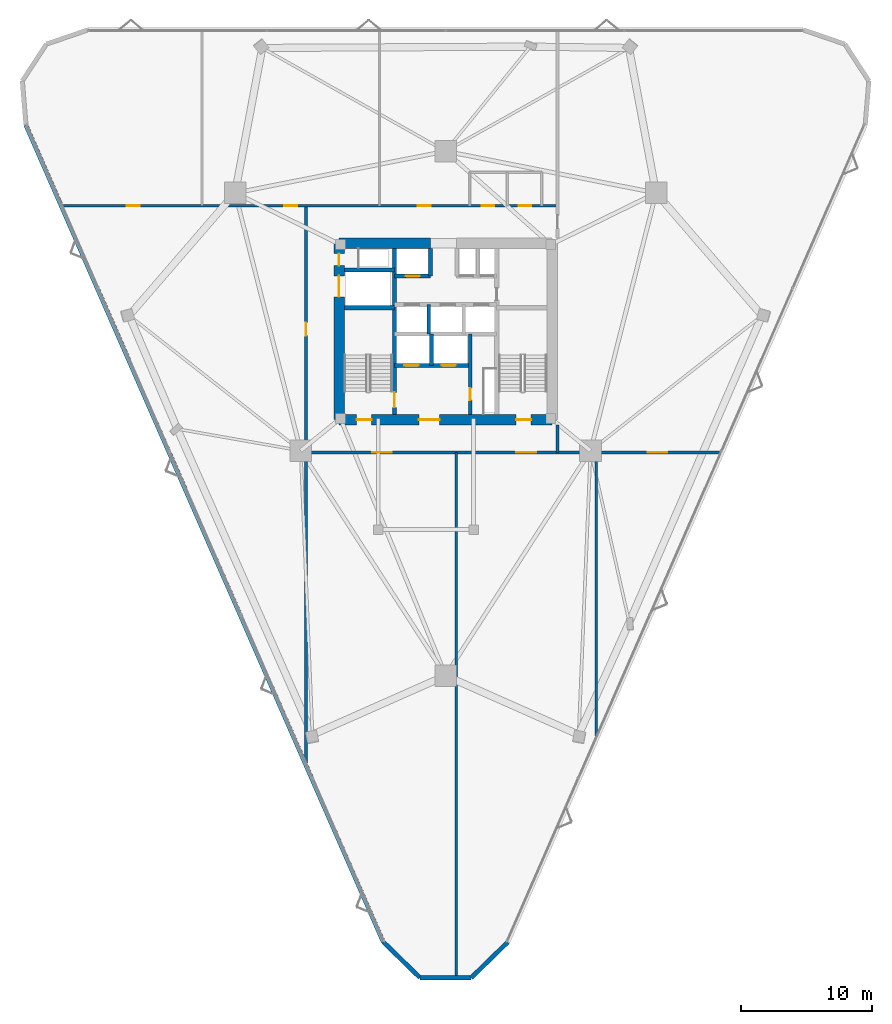
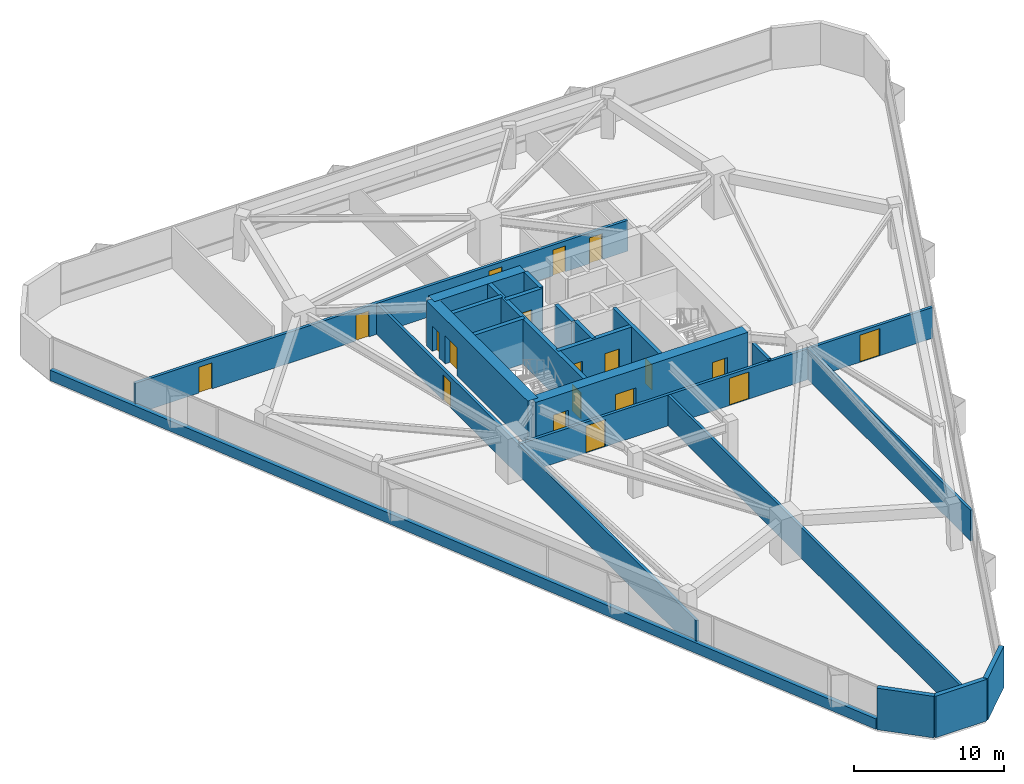
# One storey, part 17 of 20: 22 walls, 19 doors, 19 openings.
"""IFC4 building model written with IfcOpenShell, lengths in metres."""

from ifc_helpers import new_model, si_unit, direction, frame, frame_2d, origin, place, context, subcontext, project, spatial, rectangle, extrude, material, layer, layer_set, type_object, element, fill, save


model = new_model("IFC4")

# Units and contexts
model_context = context("Model", 3, precision=1e-05, world=origin(), true_north=direction((0.0, 1.0)))
body_context = subcontext(model_context, "Body", "Model", "MODEL_VIEW")
ifc_project = project(units=[si_unit("LENGTHUNIT", "METRE"), si_unit("AREAUNIT", "SQUARE_METRE"), si_unit("VOLUMEUNIT", "CUBIC_METRE"), si_unit("PLANEANGLEUNIT", "RADIAN"), si_unit("MASSUNIT", "GRAM", prefix="KILO")], contexts=[model_context])

# Site, building, storey
site_placement = place(None, origin())
site = spatial("IfcSite", under=ifc_project, at=site_placement, CompositionType="ELEMENT")
building_placement = place(site_placement, origin())
building = spatial("IfcBuilding", under=site, at=building_placement, Name="Talyreon Biosciences Tower", CompositionType="ELEMENT")
storey_placement = place(building_placement, frame((0.0, 0.0, 75.0)))
storey = spatial("IfcBuildingStorey", under=building, at=storey_placement, Name="L19", CompositionType="ELEMENT", Elevation=75.0)

# Walls
ifc_material_1 = material(Name="Gypsum fireboard acoustic stud", Category="gypsum")
ifc_layer_1 = layer(ifc_material_1, 0.199951171875)
ifc_layer_set_1 = layer_set([ifc_layer_1], Name="Gypsum fireboard acoustic stud")
wall_type_1 = type_object("IfcWallType", Name="ChemControlPartition_200", PredefinedType="PARTITIONING", material=ifc_layer_set_1)
wall_1_placement = place(storey_placement, frame((66.800048828125, 18.642822265625, 0.0), z_axis=(0.0, 0.0, 1.0), x_axis=(0.0, 1.0, 0.0)))
element("IfcWall", 1, at=wall_1_placement, inside=storey, type_object=wall_type_1, Name="L19 Interior Wall IW-L19-SDIV1", PredefinedType="PARTITIONING", context=body_context, shape_type="SweptSolid", body=[
    extrude(rectangle(XDim=40.087158203125, YDim=0.199951171875, at=frame_2d((20.04345703125, 0.0))), origin(), (0.0, 0.0, 1.0), 2.5048828125),
])
wall_2_placement = place(storey_placement, frame((77.5380859375, 36.985595703125, 0.0), z_axis=(0.0, 0.0, 1.0), x_axis=(0.0, 1.0, 0.0)))
element("IfcWall", 2, at=wall_2_placement, inside=storey, type_object=wall_type_1, Name="L19 Interior Wall IW-L19-SDIV2", PredefinedType="PARTITIONING", context=body_context, shape_type="SweptSolid", body=[
    extrude(rectangle(XDim=21.744384765625, YDim=0.199951171875, at=frame_2d((10.8720703125, 0.0))), origin(), (0.0, 0.0, 1.0), 2.5048828125),
])
ifc_material_2 = material(Name="Concrete C50/60", Category="concrete")
ifc_layer_2 = layer(ifc_material_2, 0.280029296875)
ifc_layer_set_2 = layer_set([ifc_layer_2], Name="Concrete C50/60")
wall_type_2 = type_object("IfcWallType", Name="CoreShearWall_280", PredefinedType="SHEAR", material=ifc_layer_set_2)
wall_3_placement = place(storey_placement, frame((64.919921875, 65.39990234375, 0.0), z_axis=(0.0, 0.0, 1.0), x_axis=(0.0, 1.0, 0.0)))
element("IfcWall", 3, at=wall_3_placement, inside=storey, type_object=wall_type_2, Name="L19 Core Shaft Wall SWSHD1", PredefinedType="SHEAR", context=body_context, shape_type="SweptSolid", body=[
    extrude(rectangle(XDim=2.400146484375, YDim=0.280029296875, at=frame_2d((1.2001953125, 0.0))), origin(), (0.0, 0.0, 1.0), 3.64990234375),
])
wall_4_placement = place(storey_placement, frame((64.85009765625, 72.25, 0.0), z_axis=(0.0, 0.0, 1.0), x_axis=(0.0, 1.0, 0.0)))
element("IfcWall", 4, at=wall_4_placement, inside=storey, type_object=wall_type_2, Name="L19 Core Shaft Wall SWTHW", PredefinedType="SHEAR", context=body_context, shape_type="SweptSolid", body=[
    extrude(rectangle(XDim=2.10009765625, YDim=0.280029296875, at=frame_2d((1.050048828125, 0.0))), origin(), (0.0, 0.0, 1.0), 3.64990234375),
])

# Wall, opening, door
wall_5_placement = place(storey_placement, frame((67.8798828125, 61.64990234375, 0.0), z_axis=(0.0, 0.0, 1.0), x_axis=(0.0, 1.0, 0.0)))
wall_5 = element("IfcWall", 5, at=wall_5_placement, inside=storey, type_object=wall_type_2, Name="L19 Core Shaft Wall SWFFE", PredefinedType="SHEAR", context=body_context, shape_type="SweptSolid", body=[
    extrude(rectangle(XDim=6.150146484375, YDim=0.280029296875, at=frame_2d((3.0751953125, 0.0))), origin(), (0.0, 0.0, 1.0), 3.64990234375),
])
opening_1_placement = place(wall_5_placement, frame((1.10009765625, 0.0, 0.0)))
opening_1 = element("IfcOpeningElement", 6, at=opening_1_placement, cuts=wall_5, Name="Opening DR-L19-RSE", PredefinedType="OPENING", context=body_context, shape_type="SweptSolid", body=[
    extrude(rectangle(XDim=0.919921875, YDim=2.050048828125, at=frame_2d((0.4599609375, 1.02490234375))), frame((0.0, 0.14990234375, 0.0), z_axis=(0.0, -1.0, 0.0), x_axis=(1.0, 0.0, 0.0)), (0.0, 0.0, 1.0), 0.300048828125),
])
ifc_material_3 = material(Name="Painted steel fire-rated riser door", Category="steel")
door_type_1 = type_object("IfcDoorType", Name="RiserPlantAccessDoor_920x2050", OperationType="NOTDEFINED", PredefinedType="DOOR", material=ifc_material_3)
door_1_placement = place(opening_1_placement, origin())
door_1 = element("IfcDoor", 7, at=door_1_placement, inside=storey, type_object=door_type_1, Name="L19 Core Door DR-L19-RSE", OperationType="SINGLE_SWING_RIGHT", OverallHeight=2.050048828125, OverallWidth=0.919921875, PredefinedType="DOOR", context=body_context, shape_type="SweptSolid", body=[
    extrude(rectangle(XDim=0.919921875, YDim=2.050048828125, at=frame_2d((0.4599609375, 1.02490234375))), frame((0.0, 0.02490234375, 0.0), z_axis=(0.0, -1.0, 0.0), x_axis=(1.0, 0.0, 0.0)), (0.0, 0.0, 1.0), 0.050048828125),
])
fill(opening_1, door_1)

# Wall
wall_6_placement = place(storey_placement, frame((64.719970703125, 67.800048828125, 0.0), z_axis=(0.0, 0.0, 1.0), x_axis=(0.0, 1.0, 0.0)))
element("IfcWall", 8, at=wall_6_placement, inside=storey, type_object=wall_type_2, Name="L19 Core Shaft Wall SWPLD", PredefinedType="SHEAR", context=body_context, shape_type="SweptSolid", body=[
    extrude(rectangle(XDim=2.25, YDim=0.280029296875, at=frame_2d((1.125, 0.0))), origin(), (0.0, 0.0, 1.0), 3.64990234375),
])

# Wall, opening, door
ifc_layer_3 = layer(ifc_material_2, 0.320068359375)
ifc_layer_set_3 = layer_set([ifc_layer_3], Name="Concrete C50/60")
wall_type_3 = type_object("IfcWallType", Name="CoreShearWall_320", PredefinedType="SHEAR", material=ifc_layer_set_3)
wall_7_placement = place(storey_placement, frame((62.090087890625, 61.64990234375, 0.0), z_axis=(0.0, 0.0, 1.0), x_axis=(0.0, 1.0, 0.0)))
wall_7 = element("IfcWall", 9, at=wall_7_placement, inside=storey, type_object=wall_type_3, Name="L19 Core Shaft Wall SW1E", PredefinedType="SHEAR", context=body_context, shape_type="SweptSolid", body=[
    extrude(rectangle(XDim=12.7001953125, YDim=0.320068359375, at=frame_2d((6.35009765625, 0.0))), origin(), (0.0, 0.0, 1.0), 3.64990234375),
])
opening_2_placement = place(wall_7_placement, frame((0.550048828125, 0.0, 0.0)))
opening_2 = element("IfcOpeningElement", 10, at=opening_2_placement, cuts=wall_7, Name="Opening DR-L19-FF-ST1", PredefinedType="OPENING", context=body_context, shape_type="SweptSolid", body=[
    extrude(rectangle(XDim=1.14990234375, YDim=2.14990234375, at=frame_2d((0.574951171875, 1.074951171875))), frame((0.0, 0.169921875, 0.0), z_axis=(0.0, -1.0, 0.0), x_axis=(1.0, 0.0, 0.0)), (0.0, 0.0, 1.0), 0.340087890625),
])
ifc_material_4 = material(Name="Painted steel fire door", Category="steel")
door_type_2 = type_object("IfcDoorType", Name="StairShaftFireDoor_1150x2150", OperationType="NOTDEFINED", PredefinedType="DOOR", material=ifc_material_4)
door_2_placement = place(opening_2_placement, origin())
door_2 = element("IfcDoor", 11, at=door_2_placement, inside=storey, type_object=door_type_2, Name="L19 Core Door DR-L19-FF-ST1", OperationType="SINGLE_SWING_LEFT", OverallHeight=2.14990234375, OverallWidth=1.14990234375, PredefinedType="DOOR", context=body_context, shape_type="SweptSolid", body=[
    extrude(rectangle(XDim=1.14990234375, YDim=2.14990234375, at=frame_2d((0.574951171875, 1.074951171875))), frame((0.0, 0.02490234375, 0.0), z_axis=(0.0, -1.0, 0.0), x_axis=(1.0, 0.0, 0.0)), (0.0, 0.0, 1.0), 0.050048828125),
])
fill(opening_2, door_2)

# Walls
for number, where, z_axis, x_axis, name in (
    (12, (58.25, 69.81005859375, 0.0), (0.0, 0.0, 1.0), (1.0, 0.0, 0.0), "L19 Core Shaft Wall SW1N"),
    (13, (58.25, 72.699951171875, 0.0), (0.0, 0.0, 1.0), (1.0, 0.0, 0.0), "L19 Core Shaft Wall SWGLN"),
):
    element("IfcWall", number, at=place(storey_placement, frame(where, z_axis=z_axis, x_axis=x_axis)), inside=storey, type_object=wall_type_3, Name=name, PredefinedType="SHEAR", context=body_context, shape_type="SweptSolid", body=[
        extrude(rectangle(XDim=3.840087890625, YDim=0.320068359375, at=frame_2d((1.919921875, 0.0))), origin(), (0.0, 0.0, 1.0), 3.64990234375),
    ])

# Wall, opening, door
wall_8_placement = place(storey_placement, frame((62.090087890625, 72.25, 0.0), z_axis=(0.0, 0.0, 1.0), x_axis=(1.0, 0.0, 0.0)))
wall_8 = element("IfcWall", 14, at=wall_8_placement, inside=storey, type_object=wall_type_3, Name="L19 Core Shaft Wall SWNPW", PredefinedType="SHEAR", context=body_context, shape_type="SweptSolid", body=[
    extrude(rectangle(XDim=2.760009765625, YDim=0.320068359375, at=frame_2d((1.3798828125, 0.0))), origin(), (0.0, 0.0, 1.0), 3.64990234375),
])
opening_3_placement = place(wall_8_placement, frame((0.85009765625, 0.0, 0.0)))
opening_3 = element("IfcOpeningElement", 15, at=opening_3_placement, cuts=wall_8, Name="Opening LD-L19-PM2", PredefinedType="OPENING", context=body_context, shape_type="SweptSolid", body=[
    extrude(rectangle(XDim=1.10009765625, YDim=2.199951171875, at=frame_2d((0.550048828125, 1.10009765625))), frame((0.0, 0.169921875, 0.0), z_axis=(0.0, -1.0, 0.0), x_axis=(1.0, 0.0, 0.0)), (0.0, 0.0, 1.0), 0.340087890625),
])
ifc_material_5 = material(Name="Brushed stainless-steel lift landing door", Category="steel")
door_type_3 = type_object("IfcDoorType", Name="LiftSlidingLandingDoor_1100x2200", OperationType="SLIDING_TO_LEFT", PredefinedType="DOOR", material=ifc_material_5)
door_3_placement = place(opening_3_placement, origin())
door_3 = element("IfcDoor", 16, at=door_3_placement, inside=storey, type_object=door_type_3, Name="L19 Core Door LD-L19-PM2", OperationType="SLIDING_TO_LEFT", OverallHeight=2.199951171875, OverallWidth=1.10009765625, PredefinedType="DOOR", context=body_context, shape_type="SweptSolid", body=[
    extrude(rectangle(XDim=1.10009765625, YDim=2.199951171875, at=frame_2d((0.550048828125, 1.10009765625))), frame((0.0, 0.02490234375, 0.0), z_axis=(0.0, -1.0, 0.0), x_axis=(1.0, 0.0, 0.0)), (0.0, 0.0, 1.0), 0.050048828125),
])
fill(opening_3, door_3)

# Wall, openings, doors
wall_9_placement = place(storey_placement, frame((62.090087890625, 65.39990234375, 0.0), z_axis=(0.0, 0.0, 1.0), x_axis=(1.0, 0.0, 0.0)))
wall_9 = element("IfcWall", 17, at=wall_9_placement, inside=storey, type_object=wall_type_3, Name="L19 Core Shaft Wall SWFFN", PredefinedType="SHEAR", context=body_context, shape_type="SweptSolid", body=[
    extrude(rectangle(XDim=5.789794921875, YDim=0.320068359375, at=frame_2d((2.89501953125, 0.0))), origin(), (0.0, 0.0, 1.0), 3.64990234375),
])
opening_4_placement = place(wall_9_placement, frame((0.75, 0.0, 0.0)))
opening_4 = element("IfcOpeningElement", 18, at=opening_4_placement, cuts=wall_9, Name="Opening LD-L19-FL1", PredefinedType="OPENING", context=body_context, shape_type="SweptSolid", body=[
    extrude(rectangle(XDim=1.10009765625, YDim=2.199951171875, at=frame_2d((0.550048828125, 1.10009765625))), frame((0.0, 0.169921875, 0.0), z_axis=(0.0, -1.0, 0.0), x_axis=(1.0, 0.0, 0.0)), (0.0, 0.0, 1.0), 0.340087890625),
])
opening_5_placement = place(wall_9_placement, frame((3.60009765625, 0.0, 0.0)))
opening_5 = element("IfcOpeningElement", 19, at=opening_5_placement, cuts=wall_9, Name="Opening LD-L19-FL2", PredefinedType="OPENING", context=body_context, shape_type="SweptSolid", body=[
    extrude(rectangle(XDim=1.10009765625, YDim=2.199951171875, at=frame_2d((0.550048828125, 1.10009765625))), frame((0.0, 0.169921875, 0.0), z_axis=(0.0, -1.0, 0.0), x_axis=(1.0, 0.0, 0.0)), (0.0, 0.0, 1.0), 0.340087890625),
])
door_4_placement = place(opening_4_placement, origin())
door_4 = element("IfcDoor", 20, at=door_4_placement, inside=storey, type_object=door_type_3, Name="L19 Core Door LD-L19-FL1", OperationType="SLIDING_TO_LEFT", OverallHeight=2.199951171875, OverallWidth=1.10009765625, PredefinedType="DOOR", context=body_context, shape_type="SweptSolid", body=[
    extrude(rectangle(XDim=1.10009765625, YDim=2.199951171875, at=frame_2d((0.550048828125, 1.10009765625))), frame((0.0, 0.02490234375, 0.0), z_axis=(0.0, -1.0, 0.0), x_axis=(1.0, 0.0, 0.0)), (0.0, 0.0, 1.0), 0.050048828125),
])
fill(opening_4, door_4)
door_5_placement = place(opening_5_placement, origin())
door_5 = element("IfcDoor", 21, at=door_5_placement, inside=storey, type_object=door_type_3, Name="L19 Core Door LD-L19-FL2", OperationType="SLIDING_TO_LEFT", OverallHeight=2.199951171875, OverallWidth=1.10009765625, PredefinedType="DOOR", context=body_context, shape_type="SweptSolid", body=[
    extrude(rectangle(XDim=1.10009765625, YDim=2.199951171875, at=frame_2d((0.550048828125, 1.10009765625))), frame((0.0, 0.02490234375, 0.0), z_axis=(0.0, -1.0, 0.0), x_axis=(1.0, 0.0, 0.0)), (0.0, 0.0, 1.0), 0.050048828125),
])
fill(opening_5, door_5)

ifc_material_6 = material(Name="Concrete C60/75", Category="concrete")
ifc_layer_4 = layer(ifc_material_6, 0.800048828125)
ifc_layer_set_4 = layer_set([ifc_layer_4], Name="Concrete C60/75")
wall_type_4 = type_object("IfcWallType", Name="CoreShearWall_800", PredefinedType="SHEAR", material=ifc_layer_set_4)
wall_10_placement = place(storey_placement, frame((57.85009765625, 61.25, 0.0), z_axis=(0.0, 0.0, 1.0), x_axis=(1.0, 0.0, 0.0)))
wall_10 = element("IfcWall", 22, at=wall_10_placement, inside=storey, type_object=wall_type_4, Name="L19 Core Shear Wall S", PredefinedType="SHEAR", context=body_context, shape_type="SweptSolid", body=[
    extrude(rectangle(XDim=16.2998046875, YDim=0.800048828125, at=frame_2d((8.14990234375, 0.0))), origin(), (0.0, 0.0, 1.0), 3.64990234375),
])
opening_6_placement = place(wall_10_placement, frame((1.35009765625, 0.0, 0.0)))
opening_6 = element("IfcOpeningElement", 23, at=opening_6_placement, cuts=wall_10, Name="Opening DR-L19-ST1", PredefinedType="OPENING", context=body_context, shape_type="SweptSolid", body=[
    extrude(rectangle(XDim=1.14990234375, YDim=2.14990234375, at=frame_2d((0.574951171875, 1.074951171875))), frame((0.0, 0.409912109375, 0.0), z_axis=(0.0, -1.0, 0.0), x_axis=(1.0, 0.0, 0.0)), (0.0, 0.0, 1.0), 0.820068359375),
])
opening_7_placement = place(wall_10_placement, frame((6.10009765625, 0.0, 0.0)))
opening_7 = element("IfcOpeningElement", 24, at=opening_7_placement, cuts=wall_10, Name="Opening DR-L19-FFL", PredefinedType="OPENING", context=body_context, shape_type="SweptSolid", body=[
    extrude(rectangle(XDim=1.60009765625, YDim=2.14990234375, at=frame_2d((0.800048828125, 1.074951171875))), frame((0.0, 0.409912109375, 0.0), z_axis=(0.0, -1.0, 0.0), x_axis=(1.0, 0.0, 0.0)), (0.0, 0.0, 1.0), 0.820068359375),
])
opening_8_placement = place(wall_10_placement, frame((13.550048828125, 0.0, 0.0)))
opening_8 = element("IfcOpeningElement", 25, at=opening_8_placement, cuts=wall_10, Name="Opening DR-L19-ST2", PredefinedType="OPENING", context=body_context, shape_type="SweptSolid", body=[
    extrude(rectangle(XDim=1.14990234375, YDim=2.14990234375, at=frame_2d((0.574951171875, 1.074951171875))), frame((0.0, 0.409912109375, 0.0), z_axis=(0.0, -1.0, 0.0), x_axis=(1.0, 0.0, 0.0)), (0.0, 0.0, 1.0), 0.820068359375),
])
ifc_material_7 = material(Name="Painted steel smoke-seal fire door", Category="steel")
door_type_4 = type_object("IfcDoorType", Name="FirefightingLobbyDoubleDoor_1600x2150", OperationType="DOUBLE_DOOR_SINGLE_SWING", PredefinedType="DOOR", material=ifc_material_7)
door_6_placement = place(opening_7_placement, origin())
door_6 = element("IfcDoor", 26, at=door_6_placement, inside=storey, type_object=door_type_4, Name="L19 Core Door DR-L19-FFL", OperationType="DOUBLE_DOOR_SINGLE_SWING", OverallHeight=2.14990234375, OverallWidth=1.60009765625, PredefinedType="DOOR", context=body_context, shape_type="SweptSolid", body=[
    extrude(rectangle(XDim=1.60009765625, YDim=2.14990234375, at=frame_2d((0.800048828125, 1.074951171875))), frame((0.0, 0.02490234375, 0.0), z_axis=(0.0, -1.0, 0.0), x_axis=(1.0, 0.0, 0.0)), (0.0, 0.0, 1.0), 0.050048828125),
])
fill(opening_7, door_6)
door_7_placement = place(opening_6_placement, origin())
door_7 = element("IfcDoor", 27, at=door_7_placement, inside=storey, type_object=door_type_2, Name="L19 Core Door DR-L19-ST1", OperationType="SINGLE_SWING_LEFT", OverallHeight=2.14990234375, OverallWidth=1.14990234375, PredefinedType="DOOR", context=body_context, shape_type="SweptSolid", body=[
    extrude(rectangle(XDim=1.14990234375, YDim=2.14990234375, at=frame_2d((0.574951171875, 1.074951171875))), frame((0.0, 0.02490234375, 0.0), z_axis=(0.0, -1.0, 0.0), x_axis=(1.0, 0.0, 0.0)), (0.0, 0.0, 1.0), 0.050048828125),
])
fill(opening_6, door_7)
door_8_placement = place(opening_8_placement, origin())
door_8 = element("IfcDoor", 28, at=door_8_placement, inside=storey, type_object=door_type_2, Name="L19 Core Door DR-L19-ST2", OperationType="SINGLE_SWING_RIGHT", OverallHeight=2.14990234375, OverallWidth=1.14990234375, PredefinedType="DOOR", context=body_context, shape_type="SweptSolid", body=[
    extrude(rectangle(XDim=1.14990234375, YDim=2.14990234375, at=frame_2d((0.574951171875, 1.074951171875))), frame((0.0, 0.02490234375, 0.0), z_axis=(0.0, -1.0, 0.0), x_axis=(1.0, 0.0, 0.0)), (0.0, 0.0, 1.0), 0.050048828125),
])
fill(opening_8, door_8)

# Wall
wall_11_placement = place(storey_placement, frame((64.85009765625, 74.75, 0.0), z_axis=(0.0, 0.0, 1.0), x_axis=(-1.0, 0.0, 0.0)))
element("IfcWall", 29, at=wall_11_placement, inside=storey, type_object=wall_type_4, Name="L19 Core Shear Wall NW", PredefinedType="SHEAR", context=body_context, shape_type="SweptSolid", body=[
    extrude(rectangle(XDim=7.0, YDim=0.800048828125, at=frame_2d((3.5, 0.0))), origin(), (0.0, 0.0, 1.0), 3.64990234375),
])

# Wall, openings, doors
wall_12_placement = place(storey_placement, frame((57.85009765625, 74.75, 0.0), z_axis=(0.0, 0.0, 1.0), x_axis=(0.0, -1.0, 0.0)))
wall_12 = element("IfcWall", 30, at=wall_12_placement, inside=storey, type_object=wall_type_4, Name="L19 Core Shear Wall W", PredefinedType="SHEAR", context=body_context, shape_type="SweptSolid", body=[
    extrude(rectangle(XDim=13.5, YDim=0.800048828125, at=frame_2d((6.75, 0.0))), origin(), (0.0, 0.0, 1.0), 3.64990234375),
])
opening_9_placement = place(wall_12_placement, frame((0.800048828125, 0.0, 0.0)))
opening_9 = element("IfcOpeningElement", 31, at=opening_9_placement, cuts=wall_12, Name="Opening DR-L19-RSW", PredefinedType="OPENING", context=body_context, shape_type="SweptSolid", body=[
    extrude(rectangle(XDim=0.919921875, YDim=2.050048828125, at=frame_2d((0.4599609375, 1.02490234375))), frame((0.0, 0.409912109375, 0.0), z_axis=(0.0, -1.0, 0.0), x_axis=(1.0, 0.0, 0.0)), (0.0, 0.0, 1.0), 0.820068359375),
])
opening_10_placement = place(wall_12_placement, frame((2.5, 0.0, 0.0)))
opening_10 = element("IfcOpeningElement", 32, at=opening_10_placement, cuts=wall_12, Name="Opening LD-L19-GL1", PredefinedType="OPENING", context=body_context, shape_type="SweptSolid", body=[
    extrude(rectangle(XDim=1.60009765625, YDim=2.300048828125, at=frame_2d((0.800048828125, 1.14990234375))), frame((0.0, 0.409912109375, 0.0), z_axis=(0.0, -1.0, 0.0), x_axis=(1.0, 0.0, 0.0)), (0.0, 0.0, 1.0), 0.820068359375),
])
ifc_material_8 = material(Name="Heavy-duty stainless-steel goods lift door", Category="steel")
door_type_5 = type_object("IfcDoorType", Name="GoodsLiftSlidingDoor_1600x2300", OperationType="DOUBLE_DOOR_SLIDING", PredefinedType="DOOR", material=ifc_material_8)
door_9_placement = place(opening_10_placement, origin())
door_9 = element("IfcDoor", 33, at=door_9_placement, inside=storey, type_object=door_type_5, Name="L19 Core Door LD-L19-GL1", OperationType="DOUBLE_DOOR_SLIDING", OverallHeight=2.300048828125, OverallWidth=1.60009765625, PredefinedType="DOOR", context=body_context, shape_type="SweptSolid", body=[
    extrude(rectangle(XDim=1.60009765625, YDim=2.300048828125, at=frame_2d((0.800048828125, 1.14990234375))), frame((0.0, 0.02490234375, 0.0), z_axis=(0.0, -1.0, 0.0), x_axis=(1.0, 0.0, 0.0)), (0.0, 0.0, 1.0), 0.050048828125),
])
fill(opening_10, door_9)
door_10_placement = place(opening_9_placement, origin())
door_10 = element("IfcDoor", 34, at=door_10_placement, inside=storey, type_object=door_type_1, Name="L19 Core Door DR-L19-RSW", OperationType="SINGLE_SWING_LEFT", OverallHeight=2.050048828125, OverallWidth=0.919921875, PredefinedType="DOOR", context=body_context, shape_type="SweptSolid", body=[
    extrude(rectangle(XDim=0.919921875, YDim=2.050048828125, at=frame_2d((0.4599609375, 1.02490234375))), frame((0.0, 0.02490234375, 0.0), z_axis=(0.0, -1.0, 0.0), x_axis=(1.0, 0.0, 0.0)), (0.0, 0.0, 1.0), 0.050048828125),
])
fill(opening_9, door_10)

ifc_layer_5 = layer(ifc_material_1, 0.219970703125)
ifc_layer_set_5 = layer_set([ifc_layer_5], Name="Gypsum fireboard acoustic stud")
wall_type_5 = type_object("IfcWallType", Name="CorridorRatedPartition_220", PredefinedType="PARTITIONING", material=ifc_layer_set_5)
wall_13_placement = place(storey_placement, frame((36.683837890625, 77.6201171875, 0.0), z_axis=(0.0, 0.0, 1.0), x_axis=(1.0, 0.0, 0.0)))
wall_13 = element("IfcWall", 35, at=wall_13_placement, inside=storey, type_object=wall_type_5, Name="L19 Interior Wall IW-L19-COR-N", PredefinedType="PARTITIONING", context=body_context, shape_type="SweptSolid", body=[
    extrude(rectangle(XDim=37.8662109375, YDim=0.219970703125, at=frame_2d((18.93310546875, 0.0))), origin(), (0.0, 0.0, 1.0), 2.5048828125),
])
opening_11_placement = place(wall_13_placement, frame((32.075927734375, 0.0, 0.0)))
opening_11 = element("IfcOpeningElement", 36, at=opening_11_placement, cuts=wall_13, Name="Opening DR-L19-WC", PredefinedType="OPENING", context=body_context, shape_type="SweptSolid", body=[
    extrude(rectangle(XDim=0.97998046875, YDim=2.10009765625, at=frame_2d((0.489990234375, 1.050048828125))), frame((0.0, 0.119873046875, 0.0), z_axis=(0.0, -1.0, 0.0), x_axis=(1.0, 0.0, 0.0)), (0.0, 0.0, 1.0), 0.239990234375),
])
opening_12_placement = place(wall_13_placement, frame((34.90087890625, 0.0, 0.0)))
opening_12 = element("IfcOpeningElement", 37, at=opening_12_placement, cuts=wall_13, Name="Opening DR-L19-AWC", PredefinedType="OPENING", context=body_context, shape_type="SweptSolid", body=[
    extrude(rectangle(XDim=0.97998046875, YDim=2.10009765625, at=frame_2d((0.489990234375, 1.050048828125))), frame((0.0, 0.119873046875, 0.0), z_axis=(0.0, -1.0, 0.0), x_axis=(1.0, 0.0, 0.0)), (0.0, 0.0, 1.0), 0.239990234375),
])
opening_13_placement = place(wall_13_placement, frame((4.908935546875, 0.0, 0.0)))
opening_13 = element("IfcOpeningElement", 38, at=opening_13_placement, cuts=wall_13, Name="Opening DR-L19-N1A", PredefinedType="OPENING", context=body_context, shape_type="SweptSolid", body=[
    extrude(rectangle(XDim=1.0, YDim=2.10009765625, at=frame_2d((0.5, 1.050048828125))), frame((0.0, 0.119873046875, 0.0), z_axis=(0.0, -1.0, 0.0), x_axis=(1.0, 0.0, 0.0)), (0.0, 0.0, 1.0), 0.239990234375),
])
opening_14_placement = place(wall_13_placement, frame((16.968017578125, 0.0, 0.0)))
opening_14 = element("IfcOpeningElement", 39, at=opening_14_placement, cuts=wall_13, Name="Opening DR-L19-N2A", PredefinedType="OPENING", context=body_context, shape_type="SweptSolid", body=[
    extrude(rectangle(XDim=1.0, YDim=2.10009765625, at=frame_2d((0.5, 1.050048828125))), frame((0.0, 0.119873046875, 0.0), z_axis=(0.0, -1.0, 0.0), x_axis=(1.0, 0.0, 0.0)), (0.0, 0.0, 1.0), 0.239990234375),
])
opening_15_placement = place(wall_13_placement, frame((27.177001953125, 0.0, 0.0)))
opening_15 = element("IfcOpeningElement", 40, at=opening_15_placement, cuts=wall_13, Name="Opening DR-L19-N3A", PredefinedType="OPENING", context=body_context, shape_type="SweptSolid", body=[
    extrude(rectangle(XDim=1.0, YDim=2.10009765625, at=frame_2d((0.5, 1.050048828125))), frame((0.0, 0.119873046875, 0.0), z_axis=(0.0, -1.0, 0.0), x_axis=(1.0, 0.0, 0.0)), (0.0, 0.0, 1.0), 0.239990234375),
])
ifc_material_9 = material(Name="Laminate moisture-resistant door", Category="wood")
door_type_6 = type_object("IfcDoorType", Name="AccessibleToiletDoor_980x2100", OperationType="NOTDEFINED", PredefinedType="DOOR", material=ifc_material_9)
door_11_placement = place(opening_11_placement, origin())
door_11 = element("IfcDoor", 41, at=door_11_placement, inside=storey, type_object=door_type_6, Name="L19 Interior Door DR-L19-WC", OperationType="SINGLE_SWING_RIGHT", OverallHeight=2.10009765625, OverallWidth=0.97998046875, PredefinedType="DOOR", context=body_context, shape_type="SweptSolid", body=[
    extrude(rectangle(XDim=0.97998046875, YDim=2.10009765625, at=frame_2d((0.489990234375, 1.050048828125))), frame((0.0, 0.02490234375, 0.0), z_axis=(0.0, -1.0, 0.0), x_axis=(1.0, 0.0, 0.0)), (0.0, 0.0, 1.0), 0.050048828125),
])
fill(opening_11, door_11)
door_12_placement = place(opening_12_placement, origin())
door_12 = element("IfcDoor", 42, at=door_12_placement, inside=storey, type_object=door_type_6, Name="L19 Interior Door DR-L19-AWC", OperationType="SINGLE_SWING_LEFT", OverallHeight=2.10009765625, OverallWidth=0.97998046875, PredefinedType="DOOR", context=body_context, shape_type="SweptSolid", body=[
    extrude(rectangle(XDim=0.97998046875, YDim=2.10009765625, at=frame_2d((0.489990234375, 1.050048828125))), frame((0.0, 0.02490234375, 0.0), z_axis=(0.0, -1.0, 0.0), x_axis=(1.0, 0.0, 0.0)), (0.0, 0.0, 1.0), 0.050048828125),
])
fill(opening_12, door_12)
ifc_material_10 = material(Name="Acoustic oak veneer office door", Category="wood")
door_type_7 = type_object("IfcDoorType", Name="WriteupOfficeDoor_1000x2100", OperationType="NOTDEFINED", PredefinedType="DOOR", material=ifc_material_10)
door_13_placement = place(opening_13_placement, origin())
door_13 = element("IfcDoor", 43, at=door_13_placement, inside=storey, type_object=door_type_7, Name="L19 Interior Door DR-L19-N1A", OperationType="SINGLE_SWING_LEFT", OverallHeight=2.10009765625, OverallWidth=1.0, PredefinedType="DOOR", context=body_context, shape_type="SweptSolid", body=[
    extrude(rectangle(XDim=1.0, YDim=2.10009765625, at=frame_2d((0.5, 1.050048828125))), frame((0.0, 0.02490234375, 0.0), z_axis=(0.0, -1.0, 0.0), x_axis=(1.0, 0.0, 0.0)), (0.0, 0.0, 1.0), 0.050048828125),
])
fill(opening_13, door_13)
door_14_placement = place(opening_14_placement, origin())
door_14 = element("IfcDoor", 44, at=door_14_placement, inside=storey, type_object=door_type_7, Name="L19 Interior Door DR-L19-N2A", OperationType="SINGLE_SWING_RIGHT", OverallHeight=2.10009765625, OverallWidth=1.0, PredefinedType="DOOR", context=body_context, shape_type="SweptSolid", body=[
    extrude(rectangle(XDim=1.0, YDim=2.10009765625, at=frame_2d((0.5, 1.050048828125))), frame((0.0, 0.02490234375, 0.0), z_axis=(0.0, -1.0, 0.0), x_axis=(1.0, 0.0, 0.0)), (0.0, 0.0, 1.0), 0.050048828125),
])
fill(opening_14, door_14)
door_15_placement = place(opening_15_placement, origin())
door_15 = element("IfcDoor", 45, at=door_15_placement, inside=storey, type_object=door_type_7, Name="L19 Interior Door DR-L19-N3A", OperationType="SINGLE_SWING_LEFT", OverallHeight=2.10009765625, OverallWidth=1.0, PredefinedType="DOOR", context=body_context, shape_type="SweptSolid", body=[
    extrude(rectangle(XDim=1.0, YDim=2.10009765625, at=frame_2d((0.5, 1.050048828125))), frame((0.0, 0.02490234375, 0.0), z_axis=(0.0, -1.0, 0.0), x_axis=(1.0, 0.0, 0.0)), (0.0, 0.0, 1.0), 0.050048828125),
])
fill(opening_15, door_15)

wall_14_placement = place(storey_placement, frame((55.330078125, 58.72998046875, 0.0), z_axis=(0.0, 0.0, 1.0), x_axis=(1.0, 0.0, 0.0)))
wall_14 = element("IfcWall", 46, at=wall_14_placement, inside=storey, type_object=wall_type_5, Name="L19 Interior Wall IW-L19-COR-S", PredefinedType="PARTITIONING", context=body_context, shape_type="SweptSolid", body=[
    extrude(rectangle(XDim=31.721435546875, YDim=0.219970703125, at=frame_2d((15.86083984375, 0.0))), origin(), (0.0, 0.0, 1.0), 2.5048828125),
])
opening_16_placement = place(wall_14_placement, frame((5.06005859375, 0.0, 0.0)))
opening_16 = element("IfcOpeningElement", 47, at=opening_16_placement, cuts=wall_14, Name="Opening DR-L19-S1A", PredefinedType="OPENING", context=body_context, shape_type="SweptSolid", body=[
    extrude(rectangle(XDim=1.5, YDim=2.199951171875, at=frame_2d((0.75, 1.10009765625))), frame((0.0, 0.119873046875, 0.0), z_axis=(0.0, -1.0, 0.0), x_axis=(1.0, 0.0, 0.0)), (0.0, 0.0, 1.0), 0.239990234375),
])
opening_17_placement = place(wall_14_placement, frame((16.089111328125, 0.0, 0.0)))
opening_17 = element("IfcOpeningElement", 48, at=opening_17_placement, cuts=wall_14, Name="Opening DR-L19-S2A", PredefinedType="OPENING", context=body_context, shape_type="SweptSolid", body=[
    extrude(rectangle(XDim=1.5, YDim=2.199951171875, at=frame_2d((0.75, 1.10009765625))), frame((0.0, 0.119873046875, 0.0), z_axis=(0.0, -1.0, 0.0), x_axis=(1.0, 0.0, 0.0)), (0.0, 0.0, 1.0), 0.239990234375),
])
opening_18_placement = place(wall_14_placement, frame((26.139892578125, 0.0, 0.0)))
opening_18 = element("IfcOpeningElement", 49, at=opening_18_placement, cuts=wall_14, Name="Opening DR-L19-S3A", PredefinedType="OPENING", context=body_context, shape_type="SweptSolid", body=[
    extrude(rectangle(XDim=1.5, YDim=2.199951171875, at=frame_2d((0.75, 1.10009765625))), frame((0.0, 0.119873046875, 0.0), z_axis=(0.0, -1.0, 0.0), x_axis=(1.0, 0.0, 0.0)), (0.0, 0.0, 1.0), 0.239990234375),
])
ifc_material_11 = material(Name="Vision-panel steel laboratory fire door", Category="steel")
door_type_8 = type_object("IfcDoorType", Name="WetLabDoubleLeafDoor_1500x2200", OperationType="DOUBLE_DOOR_SINGLE_SWING", PredefinedType="DOOR", material=ifc_material_11)
door_16_placement = place(opening_16_placement, origin())
door_16 = element("IfcDoor", 50, at=door_16_placement, inside=storey, type_object=door_type_8, Name="L19 Interior Door DR-L19-S1A", OperationType="DOUBLE_DOOR_SINGLE_SWING", OverallHeight=2.199951171875, OverallWidth=1.5, PredefinedType="DOOR", context=body_context, shape_type="SweptSolid", body=[
    extrude(rectangle(XDim=1.5, YDim=2.199951171875, at=frame_2d((0.75, 1.10009765625))), frame((0.0, 0.02490234375, 0.0), z_axis=(0.0, -1.0, 0.0), x_axis=(1.0, 0.0, 0.0)), (0.0, 0.0, 1.0), 0.050048828125),
])
fill(opening_16, door_16)
door_17_placement = place(opening_17_placement, origin())
door_17 = element("IfcDoor", 51, at=door_17_placement, inside=storey, type_object=door_type_8, Name="L19 Interior Door DR-L19-S2A", OperationType="DOUBLE_DOOR_SINGLE_SWING", OverallHeight=2.199951171875, OverallWidth=1.5, PredefinedType="DOOR", context=body_context, shape_type="SweptSolid", body=[
    extrude(rectangle(XDim=1.5, YDim=2.199951171875, at=frame_2d((0.75, 1.10009765625))), frame((0.0, 0.02490234375, 0.0), z_axis=(0.0, -1.0, 0.0), x_axis=(1.0, 0.0, 0.0)), (0.0, 0.0, 1.0), 0.050048828125),
])
fill(opening_17, door_17)
door_18_placement = place(opening_18_placement, origin())
door_18 = element("IfcDoor", 52, at=door_18_placement, inside=storey, type_object=door_type_8, Name="L19 Interior Door DR-L19-S3A", OperationType="DOUBLE_DOOR_SINGLE_SWING", OverallHeight=2.199951171875, OverallWidth=1.5, PredefinedType="DOOR", context=body_context, shape_type="SweptSolid", body=[
    extrude(rectangle(XDim=1.5, YDim=2.199951171875, at=frame_2d((0.75, 1.10009765625))), frame((0.0, 0.02490234375, 0.0), z_axis=(0.0, -1.0, 0.0), x_axis=(1.0, 0.0, 0.0)), (0.0, 0.0, 1.0), 0.050048828125),
])
fill(opening_18, door_18)

# Wall, opening, door
wall_15_placement = place(storey_placement, frame((55.330078125, 35.001708984375, 0.0), z_axis=(0.0, 0.0, 1.0), x_axis=(0.0, 1.0, 0.0)))
wall_15 = element("IfcWall", 53, at=wall_15_placement, inside=storey, type_object=wall_type_5, Name="L19 Interior Wall IW-L19-COR-W", PredefinedType="PARTITIONING", context=body_context, shape_type="SweptSolid", body=[
    extrude(rectangle(XDim=42.618408203125, YDim=0.219970703125, at=frame_2d((21.30908203125, 0.0))), origin(), (0.0, 0.0, 1.0), 2.5048828125),
])
opening_19_placement = place(wall_15_placement, frame((32.673095703125, 0.0, 0.0)))
opening_19 = element("IfcOpeningElement", 54, at=opening_19_placement, cuts=wall_15, Name="Opening DR-L19-W1A", PredefinedType="OPENING", context=body_context, shape_type="SweptSolid", body=[
    extrude(rectangle(XDim=1.0, YDim=2.10009765625, at=frame_2d((0.5, 1.050048828125))), frame((0.0, 0.119873046875, 0.0), z_axis=(0.0, -1.0, 0.0), x_axis=(1.0, 0.0, 0.0)), (0.0, 0.0, 1.0), 0.239990234375),
])
door_19_placement = place(opening_19_placement, origin())
door_19 = element("IfcDoor", 55, at=door_19_placement, inside=storey, type_object=door_type_7, Name="L19 Interior Door DR-L19-W1A", OperationType="SINGLE_SWING_RIGHT", OverallHeight=2.10009765625, OverallWidth=1.0, PredefinedType="DOOR", context=body_context, shape_type="SweptSolid", body=[
    extrude(rectangle(XDim=1.0, YDim=2.10009765625, at=frame_2d((0.5, 1.050048828125))), frame((0.0, 0.02490234375, 0.0), z_axis=(0.0, -1.0, 0.0), x_axis=(1.0, 0.0, 0.0)), (0.0, 0.0, 1.0), 0.050048828125),
])
fill(opening_19, door_19)

# Walls
wall_16_placement = place(storey_placement, frame((74.550048828125, 58.72998046875, 0.0), z_axis=(0.0, 0.0, 1.0), x_axis=(0.0, 1.0, 0.0)))
element("IfcWall", 56, at=wall_16_placement, inside=storey, type_object=wall_type_5, Name="L19 Interior Wall IW-L19-ECAP-S", PredefinedType="PARTITIONING", context=body_context, shape_type="SweptSolid", body=[
    extrude(rectangle(XDim=2.1201171875, YDim=0.219970703125, at=frame_2d((1.06005859375, 0.0))), origin(), (0.0, 0.0, 1.0), 2.655029296875),
])
ifc_material_12 = material(Name="Precast concrete C45/55", Category="concrete")
ifc_layer_6 = layer(ifc_material_12, 0.340087890625)
ifc_layer_set_6 = layer_set([ifc_layer_6], Name="Precast concrete C45/55")
wall_type_6 = type_object("IfcWallType", Name="PrecastConcreteSpandrelWall_340", PredefinedType="STANDARD", material=ifc_layer_set_6)
wall_17_placement = place(storey_placement, frame((61.236083984375, 21.290771484375, 0.0), z_axis=(0.0, 0.0, 1.0), x_axis=(-0.400832536075, 0.916151340131, 0.0)))
element("IfcWall", 57, at=wall_17_placement, inside=storey, type_object=wall_type_6, Name="L19 Expressed Concrete Sill Wall 00", PredefinedType="STANDARD", context=body_context, shape_type="SweptSolid", body=[
    extrude(rectangle(XDim=68.233154296875, YDim=0.340087890625, at=frame_2d((34.11669921875, 0.0))), origin(), (0.0, 0.0, 1.0), 0.85009765625),
])
wall_18_placement = place(storey_placement, frame((70.763916015625, 21.290771484375, 0.0), z_axis=(0.0, 0.0, 1.0), x_axis=(-0.716333433886, -0.69775813252, 0.0)))
element("IfcWall", 58, at=wall_18_placement, inside=storey, type_object=wall_type_6, Name="L19 Rounded-Corner Concrete Pier 09", PredefinedType="STANDARD", context=body_context, shape_type="SweptSolid", body=[
    extrude(rectangle(XDim=3.916748046875, YDim=0.340087890625, at=frame_2d((1.95849609375, 0.0))), origin(), (0.0, 0.0, 1.0), 3.375),
])
wall_19_placement = place(storey_placement, frame((67.958251953125, 18.557861328125, 0.0), z_axis=(0.0, 0.0, 1.0), x_axis=(-1.0, 0.0, 0.0)))
element("IfcWall", 59, at=wall_19_placement, inside=storey, type_object=wall_type_6, Name="L19 Rounded-Corner Concrete Pier 10", PredefinedType="STANDARD", context=body_context, shape_type="SweptSolid", body=[
    extrude(rectangle(XDim=3.91650390625, YDim=0.340087890625, at=frame_2d((1.958251953125, 0.0))), origin(), (0.0, 0.0, 1.0), 3.375),
])
wall_20_placement = place(storey_placement, frame((64.041748046875, 18.557861328125, 0.0), z_axis=(0.0, 0.0, 1.0), x_axis=(-0.716333433886, 0.69775813252, 0.0)))
element("IfcWall", 60, at=wall_20_placement, inside=storey, type_object=wall_type_6, Name="L19 Rounded-Corner Concrete Pier 11", PredefinedType="STANDARD", context=body_context, shape_type="SweptSolid", body=[
    extrude(rectangle(XDim=3.916748046875, YDim=0.340087890625, at=frame_2d((1.95849609375, 0.0))), origin(), (0.0, 0.0, 1.0), 3.375),
])

save(model, "model.ifc")
